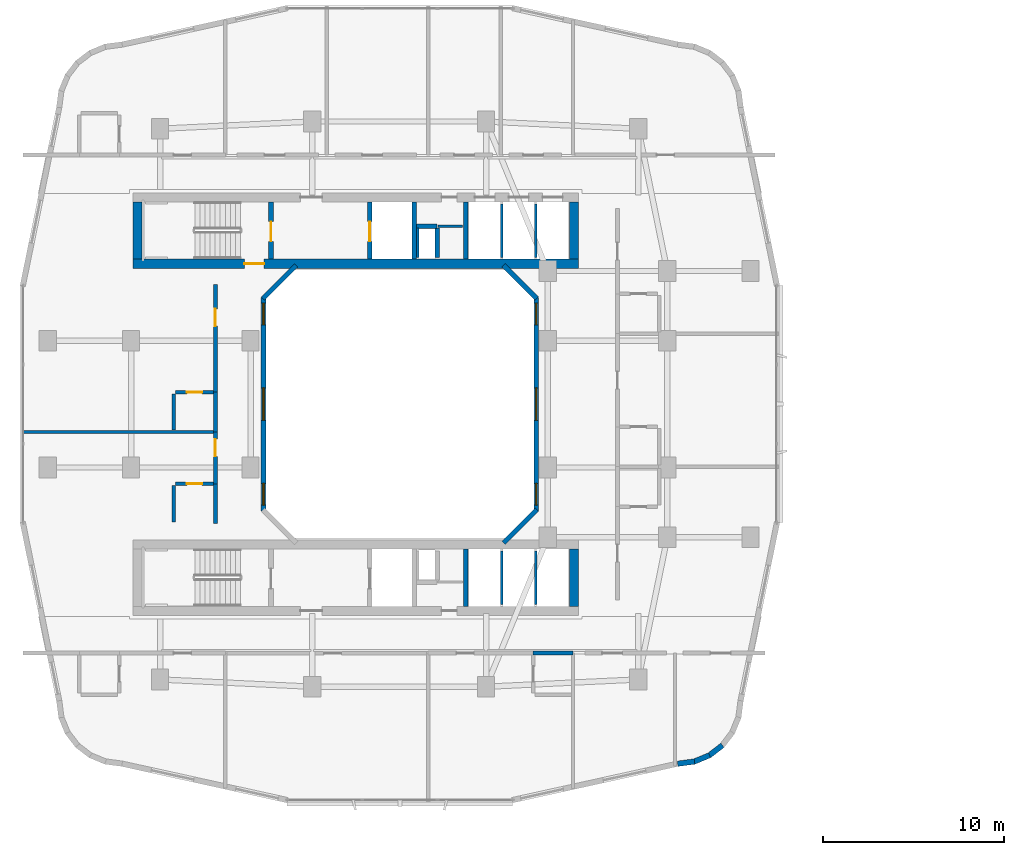
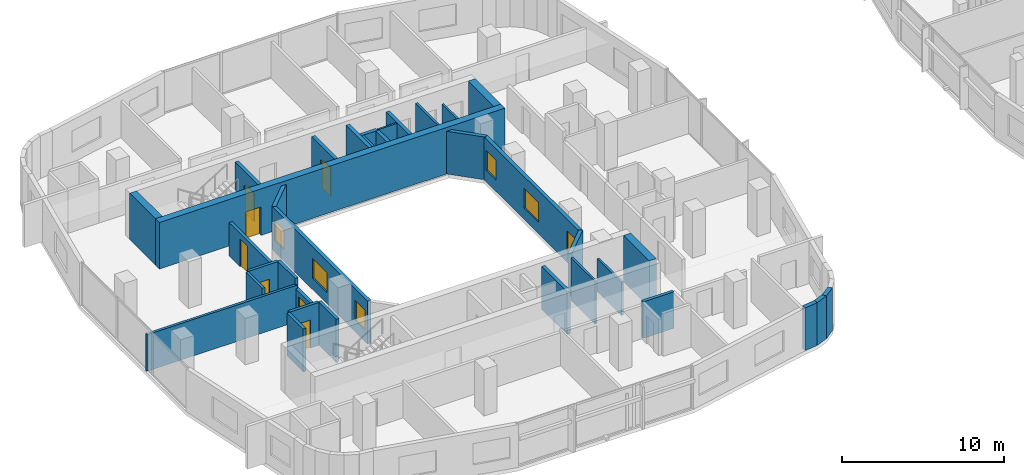
# One storey, part 14 of 27: 35 walls, 7 doors, 6 windows, 13 openings.
"""IFC4 building model written with IfcOpenShell, lengths in metres."""

from ifc_helpers import new_model, si_unit, derived_unit, direction, frame, frame_2d, origin, place, context, subcontext, project, spatial, rectangle, extrude, material, layer, layer_set, type_object, element, fill, save


model = new_model("IFC4")

# Units and contexts
model_context = context("Model", 3, precision=1e-05, world=origin(), true_north=direction((0.0, 1.0)))
body_context = subcontext(model_context, "Body", "Model", "MODEL_VIEW")
ifc_project = project(units=[si_unit("LENGTHUNIT", "METRE"), si_unit("AREAUNIT", "SQUARE_METRE"), si_unit("VOLUMEUNIT", "CUBIC_METRE"), si_unit("PLANEANGLEUNIT", "RADIAN"), si_unit("MASSUNIT", "GRAM", prefix="KILO"), derived_unit("THERMALTRANSMITTANCEUNIT", [(si_unit("POWERUNIT", "WATT"), 1), (si_unit("LENGTHUNIT", "METRE"), -2), (si_unit("THERMODYNAMICTEMPERATUREUNIT", "KELVIN"), -1)])], contexts=[model_context])

# Site, building, storey
site_placement = place(None, origin())
site = spatial("IfcSite", under=ifc_project, at=site_placement, CompositionType="ELEMENT")
building_placement = place(site_placement, origin())
building = spatial("IfcBuilding", under=site, at=building_placement, Name="Kivonza Crest Hotel", CompositionType="ELEMENT")
storey_placement = place(building_placement, frame((0.0, 0.0, 76.5)))
storey = spatial("IfcBuildingStorey", under=building, at=storey_placement, Name="L20", CompositionType="ELEMENT", Elevation=76.5)

# Walls
ifc_material_1 = material(Name="High-density acoustic masonry inter-tenancy wall", Category="masonry")
ifc_layer_1 = layer(ifc_material_1, 0.179931640625)
ifc_layer_set_1 = layer_set([ifc_layer_1], Name="High-density acoustic masonry inter-tenancy wall")
wall_type_1 = type_object("IfcWallType", Name="WL-ACOU-180", PredefinedType="SOLIDWALL", material=ifc_layer_set_1)
wall_1_placement = place(storey_placement, frame((0.139892578125, 23.4599609375, 0.0), z_axis=(0.0, 0.0, 1.0), x_axis=(1.0, 0.0, 0.0)))
element("IfcWall", 1, at=wall_1_placement, inside=storey, type_object=wall_type_1, Name="L20 interior partition WA-L20-T1W-DIV1", PredefinedType="SOLIDWALL", context=body_context, shape_type="SweptSolid", body=[
    extrude(rectangle(XDim=10.710205078125, YDim=0.179931640625, at=frame_2d((5.35498046875, 0.0))), origin(), (0.0, 0.0, 1.0), 2.7451171875),
])
ifc_material_2 = material(Name="Autoclaved aerated concrete blockwork", Category="masonry")
ifc_layer_2 = layer(ifc_material_2, 0.219970703125)
ifc_layer_set_2 = layer_set([ifc_layer_2], Name="Autoclaved aerated concrete blockwork")
wall_type_2 = type_object("IfcWallType", Name="WL-ACOU-220", PredefinedType="SOLIDWALL", material=ifc_layer_set_2)
wall_2_placement = place(storey_placement, frame((28.39990234375, 11.25, 0.0), z_axis=(0.0, 0.0, 1.0), x_axis=(1.0, 0.0, 0.0)))
element("IfcWall", 2, at=wall_2_placement, inside=storey, type_object=wall_type_2, Name="L20 interior partition WA-L20-S03-BCORR", PredefinedType="SOLIDWALL", context=body_context, shape_type="SweptSolid", body=[
    extrude(rectangle(XDim=2.2001953125, YDim=0.219970703125, at=frame_2d((1.10009765625, 0.0))), origin(), (0.0, 0.0, 1.0), 2.7451171875),
])
wall_3_placement = place(storey_placement, frame((10.85009765625, 18.39990234375, 0.0), z_axis=(0.0, 0.0, 1.0), x_axis=(0.0, 1.0, 0.0)))
element("IfcWall", 3, at=wall_3_placement, inside=storey, type_object=wall_type_2, Name="L20 interior partition WA-L20-W04-BCORR", PredefinedType="SOLIDWALL", context=body_context, shape_type="SweptSolid", body=[
    extrude(rectangle(XDim=2.2001953125, YDim=0.219970703125, at=frame_2d((1.10009765625, 0.0))), origin(), (0.0, 0.0, 1.0), 3.219970703125),
])

# Wall, opening, door
wall_4_placement = place(storey_placement, frame((10.85009765625, 20.60009765625, 0.0), z_axis=(0.0, 0.0, 1.0), x_axis=(0.0, 1.0, 0.0)))
wall_4 = element("IfcWall", 4, at=wall_4_placement, inside=storey, type_object=wall_type_2, Name="L20 interior partition WA-L20-W04-MCORR", PredefinedType="SOLIDWALL", context=body_context, shape_type="SweptSolid", body=[
    extrude(rectangle(XDim=2.85986328125, YDim=0.219970703125, at=frame_2d((1.429931640625, 0.0))), origin(), (0.0, 0.0, 1.0), 2.4951171875),
])
opening_1_placement = place(wall_4_placement, frame((1.514892578125, 0.0, 0.0)))
opening_1 = element("IfcOpeningElement", 5, at=opening_1_placement, cuts=wall_4, Name="Opening DU-60", PredefinedType="OPENING", context=body_context, shape_type="SweptSolid", body=[
    extrude(rectangle(XDim=0.949951171875, YDim=2.10009765625, at=frame_2d((0.47509765625, 1.050048828125))), frame((0.0, 0.1201171875, 0.0), z_axis=(0.0, -1.0, 0.0), x_axis=(1.0, 0.0, 0.0)), (0.0, 0.0, 1.0), 0.239990234375),
])
ifc_material_3 = material(Name="Hardwood timber oak", Category="wood")
door_type_1 = type_object("IfcDoorType", Name="DR-UNIT-950", OperationType="NOTDEFINED", PredefinedType="DOOR", material=ifc_material_3)
door_1_placement = place(opening_1_placement, origin())
door_1 = element("IfcDoor", 6, at=door_1_placement, inside=storey, type_object=door_type_1, Name="L20 W04 guest unit entrance fire door", OperationType="SINGLE_SWING_RIGHT", OverallHeight=2.10009765625, OverallWidth=0.949951171875, PredefinedType="DOOR", context=body_context, shape_type="SweptSolid", body=[
    extrude(rectangle(XDim=0.949951171875, YDim=2.10009765625, at=frame_2d((0.47509765625, 1.050048828125))), frame((0.0, 0.02490234375, 0.0), z_axis=(0.0, -1.0, 0.0), x_axis=(1.0, 0.0, 0.0)), (0.0, 0.0, 1.0), 0.050048828125),
])
fill(opening_1, door_1)

# Wall
wall_5_placement = place(storey_placement, frame((10.85009765625, 23.4599609375, 0.0), z_axis=(0.0, 0.0, 1.0), x_axis=(0.0, 1.0, 0.0)))
element("IfcWall", 7, at=wall_5_placement, inside=storey, type_object=wall_type_2, Name="L20 interior partition WA-L20-W05-BCORR", PredefinedType="SOLIDWALL", context=body_context, shape_type="SweptSolid", body=[
    extrude(rectangle(XDim=2.199951171875, YDim=0.219970703125, at=frame_2d((1.10009765625, 0.0))), origin(), (0.0, 0.0, 1.0), 3.219970703125),
])

# Wall, opening, door
wall_6_placement = place(storey_placement, frame((10.85009765625, 25.659912109375, 0.0), z_axis=(0.0, 0.0, 1.0), x_axis=(0.0, 1.0, 0.0)))
wall_6 = element("IfcWall", 8, at=wall_6_placement, inside=storey, type_object=wall_type_2, Name="L20 interior partition WA-L20-W05-MCORR", PredefinedType="SOLIDWALL", context=body_context, shape_type="SweptSolid", body=[
    extrude(rectangle(XDim=5.940185546875, YDim=0.219970703125, at=frame_2d((2.97021484375, 0.0))), origin(), (0.0, 0.0, 1.0), 2.4951171875),
])
opening_2_placement = place(wall_6_placement, frame((3.64501953125, 0.0, 0.0)))
opening_2 = element("IfcOpeningElement", 9, at=opening_2_placement, cuts=wall_6, Name="Opening DU-60", PredefinedType="OPENING", context=body_context, shape_type="SweptSolid", body=[
    extrude(rectangle(XDim=0.949951171875, YDim=2.10009765625, at=frame_2d((0.47509765625, 1.050048828125))), frame((0.0, 0.1201171875, 0.0), z_axis=(0.0, -1.0, 0.0), x_axis=(1.0, 0.0, 0.0)), (0.0, 0.0, 1.0), 0.239990234375),
])
door_2_placement = place(opening_2_placement, origin())
door_2 = element("IfcDoor", 10, at=door_2_placement, inside=storey, type_object=door_type_1, Name="L20 W05 guest unit entrance fire door", OperationType="SINGLE_SWING_LEFT", OverallHeight=2.10009765625, OverallWidth=0.949951171875, PredefinedType="DOOR", context=body_context, shape_type="SweptSolid", body=[
    extrude(rectangle(XDim=0.949951171875, YDim=2.10009765625, at=frame_2d((0.47509765625, 1.050048828125))), frame((0.0, 0.02490234375, 0.0), z_axis=(0.0, -1.0, 0.0), x_axis=(1.0, 0.0, 0.0)), (0.0, 0.0, 1.0), 0.050048828125),
])
fill(opening_2, door_2)

ifc_material_4 = material(Name="Concrete C60/75", Category="concrete")
ifc_layer_3 = layer(ifc_material_4, 0.5)
ifc_layer_set_3 = layer_set([ifc_layer_3], Name="Concrete C60/75")
wall_type_3 = type_object("IfcWallType", Name="WL-CORE-500", PredefinedType="SHEAR", material=ifc_layer_set_3)
wall_7_placement = place(storey_placement, frame((6.300048828125, 32.75, 0.0), z_axis=(0.0, 0.0, 1.0), x_axis=(1.0, 0.0, 0.0)))
wall_7 = element("IfcWall", 11, at=wall_7_placement, inside=storey, type_object=wall_type_3, Name="Core wall T1-N South L20", PredefinedType="SHEAR", context=body_context, shape_type="SweptSolid", body=[
    extrude(rectangle(XDim=24.599853515625, YDim=0.5, at=frame_2d((12.2998046875, 0.0))), origin(), (0.0, 0.0, 1.0), 3.5),
])
opening_3_placement = place(wall_7_placement, frame((6.14990234375, 0.0, 0.0)))
opening_3 = element("IfcOpeningElement", 12, at=opening_3_placement, cuts=wall_7, Name="Opening DF-120", PredefinedType="OPENING", context=body_context, shape_type="SweptSolid", body=[
    extrude(rectangle(XDim=1.10009765625, YDim=2.14990234375, at=frame_2d((0.550048828125, 1.074951171875))), frame((0.0, 0.260009765625, 0.0), z_axis=(0.0, -1.0, 0.0), x_axis=(1.0, 0.0, 0.0)), (0.0, 0.0, 1.0), 0.52001953125),
])
ifc_material_5 = material(Name="Galvanised steel", Category="steel")
door_type_2 = type_object("IfcDoorType", Name="DR-FD120-1100", OperationType="NOTDEFINED", PredefinedType="DOOR", material=ifc_material_5)
door_3_placement = place(opening_3_placement, origin())
door_3 = element("IfcDoor", 13, at=door_3_placement, inside=storey, type_object=door_type_2, Name="L20 West corridor stair access fire door", OperationType="SINGLE_SWING_LEFT", OverallHeight=2.14990234375, OverallWidth=1.10009765625, PredefinedType="DOOR", context=body_context, shape_type="SweptSolid", body=[
    extrude(rectangle(XDim=1.10009765625, YDim=2.14990234375, at=frame_2d((0.550048828125, 1.074951171875))), frame((0.0, 0.02490234375, 0.0), z_axis=(0.0, -1.0, 0.0), x_axis=(1.0, 0.0, 0.0)), (0.0, 0.0, 1.0), 0.050048828125),
])
fill(opening_3, door_3)

# Walls
for number, where, z_axis, x_axis, name in (
    (14, (6.550048828125, 33.0, 0.0), (0.0, 0.0, 1.0), (0.0, 1.0, 0.0), "Core wall T1-N West L20"),
    (15, (30.64990234375, 33.0, 0.0), (0.0, 0.0, 1.0), (0.0, 1.0, 0.0), "Core wall T1-N East L20"),
    (16, (30.64990234375, 13.840087890625, 0.0), (0.0, 0.0, 1.0), (0.0, 1.0, 0.0), "Core wall T1-S East L20"),
):
    element("IfcWall", number, at=place(storey_placement, frame(where, z_axis=z_axis, x_axis=x_axis)), inside=storey, type_object=wall_type_3, Name=name, PredefinedType="SHEAR", context=body_context, shape_type="SweptSolid", body=[
        extrude(rectangle(XDim=3.159912109375, YDim=0.5, at=frame_2d((1.580078125, 0.0))), origin(), (0.0, 0.0, 1.0), 3.5),
    ])
ifc_material_6 = material(Name="Precast concrete C40/50", Category="concrete")
ifc_layer_4 = layer(ifc_material_6, 0.260009765625)
ifc_layer_set_4 = layer_set([ifc_layer_4], Name="Precast concrete C40/50")
wall_type_4 = type_object("IfcWallType", Name="WL-EXT-260", PredefinedType="STANDARD", material=ifc_layer_set_4)
wall_8_placement = place(storey_placement, frame((26.761962890625, 17.337890625, 0.0), z_axis=(0.0, 0.0, 1.0), x_axis=(0.707059717605, 0.707153841636, 0.0)))
element("IfcWall", 17, at=wall_8_placement, inside=storey, type_object=wall_type_4, Name="L20 T1 light-well exterior wall 2", PredefinedType="STANDARD", context=body_context, shape_type="SweptSolid", body=[
    extrude(rectangle(XDim=2.59375, YDim=0.260009765625, at=frame_2d((1.296875, 0.0))), origin(), (0.0, 0.0, 1.0), 3.219970703125),
])

# Wall, openings, windows
wall_9_placement = place(storey_placement, frame((28.570068359375, 19.110107421875, 0.0), z_axis=(0.0, 0.0, 1.0), x_axis=(0.0, 1.0, 0.0)))
wall_9 = element("IfcWall", 18, at=wall_9_placement, inside=storey, type_object=wall_type_4, Name="L20 T1 light-well exterior wall 3", PredefinedType="STANDARD", context=body_context, shape_type="SweptSolid", body=[
    extrude(rectangle(XDim=11.77978515625, YDim=0.260009765625, at=frame_2d((5.889892578125, 0.0))), origin(), (0.0, 0.0, 1.0), 3.219970703125),
])
opening_4_placement = place(wall_9_placement, frame((0.318115234375, 0.0, 0.85009765625)))
opening_4 = element("IfcOpeningElement", 19, at=opening_4_placement, cuts=wall_9, Name="Opening WN-01", PredefinedType="OPENING", context=body_context, shape_type="SweptSolid", body=[
    extrude(rectangle(XDim=1.199951171875, YDim=1.5, at=frame_2d((0.60009765625, 0.75))), frame((0.0, 0.14013671875, 0.0), z_axis=(0.0, -1.0, 0.0), x_axis=(1.0, 0.0, 0.0)), (0.0, 0.0, 1.0), 0.280029296875),
])
opening_5_placement = place(wall_9_placement, frame((4.989990234375, 0.0, 0.85009765625)))
opening_5 = element("IfcOpeningElement", 20, at=opening_5_placement, cuts=wall_9, Name="Opening WN-03", PredefinedType="OPENING", context=body_context, shape_type="SweptSolid", body=[
    extrude(rectangle(XDim=1.800048828125, YDim=1.5, at=frame_2d((0.89990234375, 0.75))), frame((0.0, 0.14013671875, 0.0), z_axis=(0.0, -1.0, 0.0), x_axis=(1.0, 0.0, 0.0)), (0.0, 0.0, 1.0), 0.280029296875),
])
opening_6_placement = place(wall_9_placement, frame((10.262939453125, 0.0, 0.85009765625)))
opening_6 = element("IfcOpeningElement", 21, at=opening_6_placement, cuts=wall_9, Name="Opening WN-01", PredefinedType="OPENING", context=body_context, shape_type="SweptSolid", body=[
    extrude(rectangle(XDim=1.199951171875, YDim=1.5, at=frame_2d((0.60009765625, 0.75))), frame((0.0, 0.14013671875, 0.0), z_axis=(0.0, -1.0, 0.0), x_axis=(1.0, 0.0, 0.0)), (0.0, 0.0, 1.0), 0.280029296875),
])
ifc_material_7 = material(Name="Thermally broken bronze aluminium and low-E double glazing", Category="aluminium")
window_type_1 = type_object("IfcWindowType", Name="WN-120x150", PartitioningType="SINGLE_PANEL", PredefinedType="WINDOW", material=ifc_material_7)
window_1_placement = place(opening_4_placement, origin())
window_1 = element("IfcWindow", 22, at=window_1_placement, inside=storey, type_object=window_type_1, Name="L20 T1 light-well window 3 bay 1", OverallHeight=1.5, OverallWidth=1.199951171875, PartitioningType="SINGLE_PANEL", PredefinedType="WINDOW", context=body_context, shape_type="SweptSolid", body=[
    extrude(rectangle(XDim=1.199951171875, YDim=1.5, at=frame_2d((0.60009765625, 0.75))), frame((0.0, 0.030029296875, 0.0), z_axis=(0.0, -1.0, 0.0), x_axis=(1.0, 0.0, 0.0)), (0.0, 0.0, 1.0), 0.06005859375),
])
fill(opening_4, window_1)
window_2_placement = place(opening_6_placement, origin())
window_2 = element("IfcWindow", 23, at=window_2_placement, inside=storey, type_object=window_type_1, Name="L20 T1 light-well window 3 bay 3", OverallHeight=1.5, OverallWidth=1.199951171875, PartitioningType="SINGLE_PANEL", PredefinedType="WINDOW", context=body_context, shape_type="SweptSolid", body=[
    extrude(rectangle(XDim=1.199951171875, YDim=1.5, at=frame_2d((0.60009765625, 0.75))), frame((0.0, 0.030029296875, 0.0), z_axis=(0.0, -1.0, 0.0), x_axis=(1.0, 0.0, 0.0)), (0.0, 0.0, 1.0), 0.06005859375),
])
fill(opening_6, window_2)
window_type_2 = type_object("IfcWindowType", Name="WN-180x150", PartitioningType="DOUBLE_PANEL_VERTICAL", PredefinedType="WINDOW", material=ifc_material_7)
window_3_placement = place(opening_5_placement, origin())
window_3 = element("IfcWindow", 24, at=window_3_placement, inside=storey, type_object=window_type_2, Name="L20 T1 light-well window 3 bay 2", OverallHeight=1.5, OverallWidth=1.800048828125, PartitioningType="SINGLE_PANEL", PredefinedType="WINDOW", context=body_context, shape_type="SweptSolid", body=[
    extrude(rectangle(XDim=1.800048828125, YDim=1.5, at=frame_2d((0.89990234375, 0.75))), frame((0.0, 0.030029296875, 0.0), z_axis=(0.0, -1.0, 0.0), x_axis=(1.0, 0.0, 0.0)), (0.0, 0.0, 1.0), 0.06005859375),
])
fill(opening_5, window_3)

# Walls
wall_10_placement = place(storey_placement, frame((28.595947265625, 30.827880859375, 0.0), z_axis=(0.0, 0.0, 1.0), x_axis=(-0.707059717605, 0.707153841636, 0.0)))
element("IfcWall", 25, at=wall_10_placement, inside=storey, type_object=wall_type_4, Name="L20 T1 light-well exterior wall 4", PredefinedType="STANDARD", context=body_context, shape_type="SweptSolid", body=[
    extrude(rectangle(XDim=2.59375, YDim=0.260009765625, at=frame_2d((1.296875, 0.0))), origin(), (0.0, 0.0, 1.0), 3.219970703125),
])
wall_11_placement = place(storey_placement, frame((15.318115234375, 32.662109375, 0.0), z_axis=(0.0, 0.0, 1.0), x_axis=(-0.707106781187, -0.707106781187, 0.0)))
element("IfcWall", 26, at=wall_11_placement, inside=storey, type_object=wall_type_4, Name="L20 T1 light-well exterior wall 6", PredefinedType="STANDARD", context=body_context, shape_type="SweptSolid", body=[
    extrude(rectangle(XDim=2.593994140625, YDim=0.260009765625, at=frame_2d((1.296875, 0.0))), origin(), (0.0, 0.0, 1.0), 3.219970703125),
])

# Wall, openings, windows
wall_12_placement = place(storey_placement, frame((13.510009765625, 30.889892578125, 0.0), z_axis=(0.0, 0.0, 1.0), x_axis=(0.0, -1.0, 0.0)))
wall_12 = element("IfcWall", 27, at=wall_12_placement, inside=storey, type_object=wall_type_4, Name="L20 T1 light-well exterior wall 7", PredefinedType="STANDARD", context=body_context, shape_type="SweptSolid", body=[
    extrude(rectangle(XDim=11.77978515625, YDim=0.260009765625, at=frame_2d((5.889892578125, 0.0))), origin(), (0.0, 0.0, 1.0), 3.219970703125),
])
opening_7_placement = place(wall_12_placement, frame((0.318115234375, 0.0, 0.85009765625)))
opening_7 = element("IfcOpeningElement", 28, at=opening_7_placement, cuts=wall_12, Name="Opening WN-01", PredefinedType="OPENING", context=body_context, shape_type="SweptSolid", body=[
    extrude(rectangle(XDim=1.199951171875, YDim=1.5, at=frame_2d((0.60009765625, 0.75))), frame((0.0, 0.14013671875, 0.0), z_axis=(0.0, -1.0, 0.0), x_axis=(1.0, 0.0, 0.0)), (0.0, 0.0, 1.0), 0.280029296875),
])
opening_8_placement = place(wall_12_placement, frame((4.989990234375, 0.0, 0.85009765625)))
opening_8 = element("IfcOpeningElement", 29, at=opening_8_placement, cuts=wall_12, Name="Opening WN-03", PredefinedType="OPENING", context=body_context, shape_type="SweptSolid", body=[
    extrude(rectangle(XDim=1.800048828125, YDim=1.5, at=frame_2d((0.89990234375, 0.75))), frame((0.0, 0.14013671875, 0.0), z_axis=(0.0, -1.0, 0.0), x_axis=(1.0, 0.0, 0.0)), (0.0, 0.0, 1.0), 0.280029296875),
])
opening_9_placement = place(wall_12_placement, frame((10.262939453125, 0.0, 0.85009765625)))
opening_9 = element("IfcOpeningElement", 30, at=opening_9_placement, cuts=wall_12, Name="Opening WN-01", PredefinedType="OPENING", context=body_context, shape_type="SweptSolid", body=[
    extrude(rectangle(XDim=1.199951171875, YDim=1.5, at=frame_2d((0.60009765625, 0.75))), frame((0.0, 0.14013671875, 0.0), z_axis=(0.0, -1.0, 0.0), x_axis=(1.0, 0.0, 0.0)), (0.0, 0.0, 1.0), 0.280029296875),
])
window_4_placement = place(opening_7_placement, origin())
window_4 = element("IfcWindow", 31, at=window_4_placement, inside=storey, type_object=window_type_1, Name="L20 T1 light-well window 7 bay 1", OverallHeight=1.5, OverallWidth=1.199951171875, PartitioningType="SINGLE_PANEL", PredefinedType="WINDOW", context=body_context, shape_type="SweptSolid", body=[
    extrude(rectangle(XDim=1.199951171875, YDim=1.5, at=frame_2d((0.60009765625, 0.75))), frame((0.0, 0.030029296875, 0.0), z_axis=(0.0, -1.0, 0.0), x_axis=(1.0, 0.0, 0.0)), (0.0, 0.0, 1.0), 0.06005859375),
])
fill(opening_7, window_4)
window_5_placement = place(opening_9_placement, origin())
window_5 = element("IfcWindow", 32, at=window_5_placement, inside=storey, type_object=window_type_1, Name="L20 T1 light-well window 7 bay 3", OverallHeight=1.5, OverallWidth=1.199951171875, PartitioningType="SINGLE_PANEL", PredefinedType="WINDOW", context=body_context, shape_type="SweptSolid", body=[
    extrude(rectangle(XDim=1.199951171875, YDim=1.5, at=frame_2d((0.60009765625, 0.75))), frame((0.0, 0.030029296875, 0.0), z_axis=(0.0, -1.0, 0.0), x_axis=(1.0, 0.0, 0.0)), (0.0, 0.0, 1.0), 0.06005859375),
])
fill(opening_9, window_5)
window_6_placement = place(opening_8_placement, origin())
window_6 = element("IfcWindow", 33, at=window_6_placement, inside=storey, type_object=window_type_2, Name="L20 T1 light-well window 7 bay 2", OverallHeight=1.5, OverallWidth=1.800048828125, PartitioningType="SINGLE_PANEL", PredefinedType="WINDOW", context=body_context, shape_type="SweptSolid", body=[
    extrude(rectangle(XDim=1.800048828125, YDim=1.5, at=frame_2d((0.89990234375, 0.75))), frame((0.0, 0.030029296875, 0.0), z_axis=(0.0, -1.0, 0.0), x_axis=(1.0, 0.0, 0.0)), (0.0, 0.0, 1.0), 0.06005859375),
])
fill(opening_8, window_6)

# Walls
ifc_layer_5 = layer(ifc_material_6, 0.300048828125)
ifc_layer_set_5 = layer_set([ifc_layer_5], Name="Precast concrete C40/50")
wall_type_5 = type_object("IfcWallType", Name="WL-EXT-300", PredefinedType="STANDARD", material=ifc_layer_set_5)
wall_13_placement = place(storey_placement, frame((36.3720703125, 5.14794921875, 0.0), z_axis=(0.0, 0.0, 1.0), x_axis=(0.991359246108, 0.131174864804, 0.0)))
element("IfcWall", 34, at=wall_13_placement, inside=storey, type_object=wall_type_5, Name="L20 T1 exterior insulated wall 10", PredefinedType="STANDARD", context=body_context, shape_type="SweptSolid", body=[
    extrude(rectangle(XDim=0.93798828125, YDim=0.300048828125, at=frame_2d((0.468994140625, 0.0))), origin(), (0.0, 0.0, 1.0), 3.219970703125),
])
wall_14_placement = place(storey_placement, frame((37.251953125, 5.251953125, 0.0), z_axis=(0.0, 0.0, 1.0), x_axis=(0.924019948111, 0.382344263057, 0.0)))
element("IfcWall", 35, at=wall_14_placement, inside=storey, type_object=wall_type_5, Name="L20 T1 exterior insulated wall 11", PredefinedType="STANDARD", context=body_context, shape_type="SweptSolid", body=[
    extrude(rectangle(XDim=0.95458984375, YDim=0.300048828125, at=frame_2d((0.477294921875, 0.0))), origin(), (0.0, 0.0, 1.0), 3.219970703125),
])
wall_15_placement = place(storey_placement, frame((38.089111328125, 5.5859375, 0.0), z_axis=(0.0, 0.0, 1.0), x_axis=(0.793573440799, 0.608474481025, 0.0)))
element("IfcWall", 36, at=wall_15_placement, inside=storey, type_object=wall_type_5, Name="L20 T1 exterior insulated wall 12", PredefinedType="STANDARD", context=body_context, shape_type="SweptSolid", body=[
    extrude(rectangle(XDim=0.954833984375, YDim=0.300048828125, at=frame_2d((0.4775390625, 0.0))), origin(), (0.0, 0.0, 1.0), 3.219970703125),
])
ifc_material_8 = material(Name="Concrete blockwork fire-compartment wall", Category="masonry")
ifc_layer_6 = layer(ifc_material_8, 0.25)
ifc_layer_set_6 = layer_set([ifc_layer_6], Name="Concrete blockwork fire-compartment wall")
wall_type_6 = type_object("IfcWallType", Name="WL-FIRE-250", PredefinedType="SOLIDWALL", material=ifc_layer_set_6)
wall_16_placement = place(storey_placement, frame((23.10009765625, 33.10009765625, 0.0), z_axis=(0.0, 0.0, 1.0), x_axis=(0.0, 1.0, 0.0)))
element("IfcWall", 37, at=wall_16_placement, inside=storey, type_object=wall_type_6, Name="L20 interior partition WA-L20-T1-N-MEPR-E", PredefinedType="SOLIDWALL", context=body_context, shape_type="SweptSolid", body=[
    extrude(rectangle(XDim=1.619873046875, YDim=0.25, at=frame_2d((0.81005859375, 0.0))), origin(), (0.0, 0.0, 1.0), 3.219970703125),
])
wall_17_placement = place(storey_placement, frame((21.949951171875, 34.820068359375, 0.0), z_axis=(0.0, 0.0, 1.0), x_axis=(1.0, 0.0, 0.0)))
element("IfcWall", 38, at=wall_17_placement, inside=storey, type_object=wall_type_6, Name="L20 interior partition WA-L20-T1-N-MEPR-H", PredefinedType="SOLIDWALL", context=body_context, shape_type="SweptSolid", body=[
    extrude(rectangle(XDim=1.150146484375, YDim=0.25, at=frame_2d((0.5751953125, 0.0))), origin(), (0.0, 0.0, 1.0), 3.219970703125),
])
ifc_material_9 = material(Name="Metal-stud gypsum board partition", Category="gypsum")
ifc_layer_7 = layer(ifc_material_9, 0.125)
ifc_layer_set_7 = layer_set([ifc_layer_7], Name="Metal-stud gypsum board partition")
wall_type_7 = type_object("IfcWallType", Name="WL-PART-125", PredefinedType="PARTITIONING", material=ifc_layer_set_7)
wall_18_placement = place(storey_placement, frame((23.14990234375, 34.820068359375, 0.0), z_axis=(0.0, 0.0, 1.0), x_axis=(1.0, 0.0, 0.0)))
element("IfcWall", 39, at=wall_18_placement, inside=storey, type_object=wall_type_7, Name="L20 interior partition WP-L20-T1-N-SV2H", PredefinedType="PARTITIONING", context=body_context, shape_type="SweptSolid", body=[
    extrude(rectangle(XDim=1.35009765625, YDim=0.125, at=frame_2d((0.675048828125, 0.0))), origin(), (0.0, 0.0, 1.0), 3.219970703125),
])
ifc_material_10 = material(Name="Twin-stud acoustic gypsum board partition", Category="gypsum")
ifc_layer_8 = layer(ifc_material_10, 0.14990234375)
ifc_layer_set_8 = layer_set([ifc_layer_8], Name="Twin-stud acoustic gypsum board partition")
wall_type_8 = type_object("IfcWallType", Name="WL-PART-150", PredefinedType="PARTITIONING", material=ifc_layer_set_8)
wall_19_placement = place(storey_placement, frame((22.030029296875, 33.10009765625, 0.0), z_axis=(0.0, 0.0, 1.0), x_axis=(0.0, 1.0, 0.0)))
element("IfcWall", 40, at=wall_19_placement, inside=storey, type_object=wall_type_8, Name="L20 interior partition WA-L20-T1-N-MEPR-W", PredefinedType="PARTITIONING", context=body_context, shape_type="SweptSolid", body=[
    extrude(rectangle(XDim=1.619873046875, YDim=0.14990234375, at=frame_2d((0.81005859375, 0.0))), origin(), (0.0, 0.0, 1.0), 3.219970703125),
])
wall_20_placement = place(storey_placement, frame((26.6669921875, 33.10009765625, 0.0), z_axis=(0.0, 0.0, 1.0), x_axis=(0.0, 1.0, 0.0)))
element("IfcWall", 41, at=wall_20_placement, inside=storey, type_object=wall_type_8, Name="L20 interior partition WP-L20-T1-N-BSH-1", PredefinedType="PARTITIONING", context=body_context, shape_type="SweptSolid", body=[
    extrude(rectangle(XDim=2.9599609375, YDim=0.14990234375, at=frame_2d((1.47998046875, 0.0))), origin(), (0.0, 0.0, 1.0), 3.219970703125),
])
wall_21_placement = place(storey_placement, frame((28.532958984375, 33.10009765625, 0.0), z_axis=(0.0, 0.0, 1.0), x_axis=(0.0, 1.0, 0.0)))
element("IfcWall", 42, at=wall_21_placement, inside=storey, type_object=wall_type_8, Name="L20 interior partition WP-L20-T1-N-BSH-2", PredefinedType="PARTITIONING", context=body_context, shape_type="SweptSolid", body=[
    extrude(rectangle(XDim=2.9599609375, YDim=0.14990234375, at=frame_2d((1.47998046875, 0.0))), origin(), (0.0, 0.0, 1.0), 2.4951171875),
])
wall_22_placement = place(storey_placement, frame((26.6669921875, 13.93994140625, 0.0), z_axis=(0.0, 0.0, 1.0), x_axis=(0.0, 1.0, 0.0)))
element("IfcWall", 43, at=wall_22_placement, inside=storey, type_object=wall_type_8, Name="L20 interior partition WP-L20-T1-S-BSH-1", PredefinedType="PARTITIONING", context=body_context, shape_type="SweptSolid", body=[
    extrude(rectangle(XDim=2.9599609375, YDim=0.14990234375, at=frame_2d((1.47998046875, 0.0))), origin(), (0.0, 0.0, 1.0), 3.219970703125),
])
wall_23_placement = place(storey_placement, frame((28.532958984375, 13.93994140625, 0.0), z_axis=(0.0, 0.0, 1.0), x_axis=(0.0, 1.0, 0.0)))
element("IfcWall", 44, at=wall_23_placement, inside=storey, type_object=wall_type_8, Name="L20 interior partition WP-L20-T1-S-BSH-2", PredefinedType="PARTITIONING", context=body_context, shape_type="SweptSolid", body=[
    extrude(rectangle(XDim=2.9599609375, YDim=0.14990234375, at=frame_2d((1.47998046875, 0.0))), origin(), (0.0, 0.0, 1.0), 2.4951171875),
])

# Wall, opening, door
ifc_material_11 = material(Name="Moisture-resistant plumbing chase partition wall", Category="gypsum")
ifc_layer_9 = layer(ifc_material_11, 0.199951171875)
ifc_layer_set_9 = layer_set([ifc_layer_9], Name="Moisture-resistant plumbing chase partition wall")
wall_type_9 = type_object("IfcWallType", Name="WL-PLUMB-200", PredefinedType="PLUMBINGWALL", material=ifc_layer_set_9)
wall_24_placement = place(storey_placement, frame((8.64990234375, 20.60009765625, 0.0), z_axis=(0.0, 0.0, 1.0), x_axis=(1.0, 0.0, 0.0)))
wall_24 = element("IfcWall", 45, at=wall_24_placement, inside=storey, type_object=wall_type_9, Name="L20 interior partition WW-L20-W04-BH", PredefinedType="PLUMBINGWALL", context=body_context, shape_type="SweptSolid", body=[
    extrude(rectangle(XDim=2.10009765625, YDim=0.199951171875, at=frame_2d((1.050048828125, 0.0))), origin(), (0.0, 0.0, 1.0), 3.219970703125),
])
opening_10_placement = place(wall_24_placement, frame((0.625, 0.0, 0.0)))
opening_10 = element("IfcOpeningElement", 46, at=opening_10_placement, cuts=wall_24, Name="Opening DI-85", PredefinedType="OPENING", context=body_context, shape_type="SweptSolid", body=[
    extrude(rectangle(XDim=0.85009765625, YDim=2.10009765625, at=frame_2d((0.425048828125, 1.050048828125))), frame((0.0, 0.10986328125, 0.0), z_axis=(0.0, -1.0, 0.0), x_axis=(1.0, 0.0, 0.0)), (0.0, 0.0, 1.0), 0.219970703125),
])
door_type_3 = type_object("IfcDoorType", Name="DR-INT-850", OperationType="NOTDEFINED", PredefinedType="DOOR", material=ifc_material_3)
door_4_placement = place(opening_10_placement, origin())
door_4 = element("IfcDoor", 47, at=door_4_placement, inside=storey, type_object=door_type_3, Name="L20 W04 en-suite bathroom door", OperationType="SINGLE_SWING_LEFT", OverallHeight=2.10009765625, OverallWidth=0.85009765625, PredefinedType="DOOR", context=body_context, shape_type="SweptSolid", body=[
    extrude(rectangle(XDim=0.85009765625, YDim=2.10009765625, at=frame_2d((0.425048828125, 1.050048828125))), frame((0.0, 0.02490234375, 0.0), z_axis=(0.0, -1.0, 0.0), x_axis=(1.0, 0.0, 0.0)), (0.0, 0.0, 1.0), 0.050048828125),
])
fill(opening_10, door_4)

# Wall
wall_25_placement = place(storey_placement, frame((8.550048828125, 18.5, 0.0), z_axis=(0.0, 0.0, 1.0), x_axis=(0.0, 1.0, 0.0)))
element("IfcWall", 48, at=wall_25_placement, inside=storey, type_object=wall_type_9, Name="L20 interior partition WW-L20-W04-BV", PredefinedType="PLUMBINGWALL", context=body_context, shape_type="SweptSolid", body=[
    extrude(rectangle(XDim=2.0, YDim=0.199951171875, at=frame_2d((1.0, 0.0))), origin(), (0.0, 0.0, 1.0), 3.219970703125),
])

# Wall, opening, door
wall_26_placement = place(storey_placement, frame((8.64990234375, 25.659912109375, 0.0), z_axis=(0.0, 0.0, 1.0), x_axis=(1.0, 0.0, 0.0)))
wall_26 = element("IfcWall", 49, at=wall_26_placement, inside=storey, type_object=wall_type_9, Name="L20 interior partition WW-L20-W05-BH", PredefinedType="PLUMBINGWALL", context=body_context, shape_type="SweptSolid", body=[
    extrude(rectangle(XDim=2.10009765625, YDim=0.199951171875, at=frame_2d((1.050048828125, 0.0))), origin(), (0.0, 0.0, 1.0), 3.219970703125),
])
opening_11_placement = place(wall_26_placement, frame((0.625, 0.0, 0.0)))
opening_11 = element("IfcOpeningElement", 50, at=opening_11_placement, cuts=wall_26, Name="Opening DI-85", PredefinedType="OPENING", context=body_context, shape_type="SweptSolid", body=[
    extrude(rectangle(XDim=0.85009765625, YDim=2.10009765625, at=frame_2d((0.425048828125, 1.050048828125))), frame((0.0, 0.10986328125, 0.0), z_axis=(0.0, -1.0, 0.0), x_axis=(1.0, 0.0, 0.0)), (0.0, 0.0, 1.0), 0.219970703125),
])
door_5_placement = place(opening_11_placement, origin())
door_5 = element("IfcDoor", 51, at=door_5_placement, inside=storey, type_object=door_type_3, Name="L20 W05 en-suite bathroom door", OperationType="SINGLE_SWING_RIGHT", OverallHeight=2.10009765625, OverallWidth=0.85009765625, PredefinedType="DOOR", context=body_context, shape_type="SweptSolid", body=[
    extrude(rectangle(XDim=0.85009765625, YDim=2.10009765625, at=frame_2d((0.425048828125, 1.050048828125))), frame((0.0, 0.02490234375, 0.0), z_axis=(0.0, -1.0, 0.0), x_axis=(1.0, 0.0, 0.0)), (0.0, 0.0, 1.0), 0.050048828125),
])
fill(opening_11, door_5)

# Wall
wall_27_placement = place(storey_placement, frame((8.550048828125, 23.56005859375, 0.0), z_axis=(0.0, 0.0, 1.0), x_axis=(0.0, 1.0, 0.0)))
element("IfcWall", 52, at=wall_27_placement, inside=storey, type_object=wall_type_9, Name="L20 interior partition WW-L20-W05-BV", PredefinedType="PLUMBINGWALL", context=body_context, shape_type="SweptSolid", body=[
    extrude(rectangle(XDim=2.0, YDim=0.199951171875, at=frame_2d((1.0, 0.0))), origin(), (0.0, 0.0, 1.0), 3.219970703125),
])

# Wall, opening, door
ifc_material_12 = material(Name="Concrete C50/60", Category="concrete")
ifc_layer_10 = layer(ifc_material_12, 0.25)
ifc_layer_set_10 = layer_set([ifc_layer_10], Name="Concrete C50/60")
wall_type_10 = type_object("IfcWallType", Name="WL-SHAFT-250", PredefinedType="STANDARD", material=ifc_layer_set_10)
wall_28_placement = place(storey_placement, frame((13.925048828125, 33.0, 0.0), z_axis=(0.0, 0.0, 1.0), x_axis=(0.0, 1.0, 0.0)))
wall_28 = element("IfcWall", 53, at=wall_28_placement, inside=storey, type_object=wall_type_10, Name="Core shaft wall T1-N STAIR L20", PredefinedType="STANDARD", context=body_context, shape_type="SweptSolid", body=[
    extrude(rectangle(XDim=3.159912109375, YDim=0.25, at=frame_2d((1.580078125, 0.0))), origin(), (0.0, 0.0, 1.0), 3.219970703125),
])
opening_12_placement = place(wall_28_placement, frame((0.97998046875, 0.0, 0.0)))
opening_12 = element("IfcOpeningElement", 54, at=opening_12_placement, cuts=wall_28, Name="Opening DF-120", PredefinedType="OPENING", context=body_context, shape_type="SweptSolid", body=[
    extrude(rectangle(XDim=1.10009765625, YDim=2.14990234375, at=frame_2d((0.550048828125, 1.074951171875))), frame((0.0, 0.135009765625, 0.0), z_axis=(0.0, -1.0, 0.0), x_axis=(1.0, 0.0, 0.0)), (0.0, 0.0, 1.0), 0.27001953125),
])
door_6_placement = place(opening_12_placement, frame((1.10009765625, 0.0, 0.0), z_axis=(0.0, 0.0, 1.0), x_axis=(-1.0, 0.0, 0.0)))
door_6 = element("IfcDoor", 55, at=door_6_placement, inside=storey, type_object=door_type_2, Name="L20 T1-N stair fire door", OperationType="SINGLE_SWING_LEFT", OverallHeight=2.14990234375, OverallWidth=1.10009765625, PredefinedType="DOOR", context=body_context, shape_type="SweptSolid", body=[
    extrude(rectangle(XDim=1.10009765625, YDim=2.14990234375, at=frame_2d((0.550048828125, 1.074951171875))), frame((0.0, 0.02490234375, 0.0), z_axis=(0.0, -1.0, 0.0), x_axis=(1.0, 0.0, 0.0)), (0.0, 0.0, 1.0), 0.050048828125),
])
fill(opening_12, door_6)

wall_29_placement = place(storey_placement, frame((19.375, 33.0, 0.0), z_axis=(0.0, 0.0, 1.0), x_axis=(0.0, 1.0, 0.0)))
wall_29 = element("IfcWall", 56, at=wall_29_placement, inside=storey, type_object=wall_type_10, Name="Core shaft wall T1-N FFL-W L20", PredefinedType="STANDARD", context=body_context, shape_type="SweptSolid", body=[
    extrude(rectangle(XDim=3.159912109375, YDim=0.25, at=frame_2d((1.580078125, 0.0))), origin(), (0.0, 0.0, 1.0), 3.219970703125),
])
opening_13_placement = place(wall_29_placement, frame((0.97998046875, 0.0, 0.0)))
opening_13 = element("IfcOpeningElement", 57, at=opening_13_placement, cuts=wall_29, Name="Opening LD-120", PredefinedType="OPENING", context=body_context, shape_type="SweptSolid", body=[
    extrude(rectangle(XDim=1.10009765625, YDim=2.14990234375, at=frame_2d((0.550048828125, 1.074951171875))), frame((0.0, 0.135009765625, 0.0), z_axis=(0.0, -1.0, 0.0), x_axis=(1.0, 0.0, 0.0)), (0.0, 0.0, 1.0), 0.27001953125),
])
ifc_material_13 = material(Name="Stainless steel", Category="steel")
door_type_4 = type_object("IfcDoorType", Name="DR-LD120-1100", OperationType="NOTDEFINED", PredefinedType="DOOR", material=ifc_material_13)
door_7_placement = place(opening_13_placement, origin())
door_7 = element("IfcDoor", 58, at=door_7_placement, inside=storey, type_object=door_type_4, Name="L20 FFL-T1-N firefighting lift sliding landing door", OperationType="DOUBLE_DOOR_SLIDING", OverallHeight=2.14990234375, OverallWidth=1.10009765625, PredefinedType="DOOR", context=body_context, shape_type="SweptSolid", body=[
    extrude(rectangle(XDim=1.10009765625, YDim=2.14990234375, at=frame_2d((0.550048828125, 1.074951171875))), frame((0.0, 0.02490234375, 0.0), z_axis=(0.0, -1.0, 0.0), x_axis=(1.0, 0.0, 0.0)), (0.0, 0.0, 1.0), 0.050048828125),
])
fill(opening_13, door_7)

# Walls
for number, where, z_axis, x_axis, name in (
    (59, (21.824951171875, 33.0, 0.0), (0.0, 0.0, 1.0), (0.0, 1.0, 0.0), "Core shaft wall T1-N FFL-E L20"),
    (60, (24.675048828125, 33.0, 0.0), (0.0, 0.0, 1.0), (0.0, 1.0, 0.0), "Core shaft wall T1-N BANK-W L20"),
    (61, (24.675048828125, 13.840087890625, 0.0), (0.0, 0.0, 1.0), (0.0, 1.0, 0.0), "Core shaft wall T1-S BANK-W L20"),
):
    element("IfcWall", number, at=place(storey_placement, frame(where, z_axis=z_axis, x_axis=x_axis)), inside=storey, type_object=wall_type_10, Name=name, PredefinedType="STANDARD", context=body_context, shape_type="SweptSolid", body=[
        extrude(rectangle(XDim=3.159912109375, YDim=0.25, at=frame_2d((1.580078125, 0.0))), origin(), (0.0, 0.0, 1.0), 3.219970703125),
    ])

save(model, "model.ifc")
